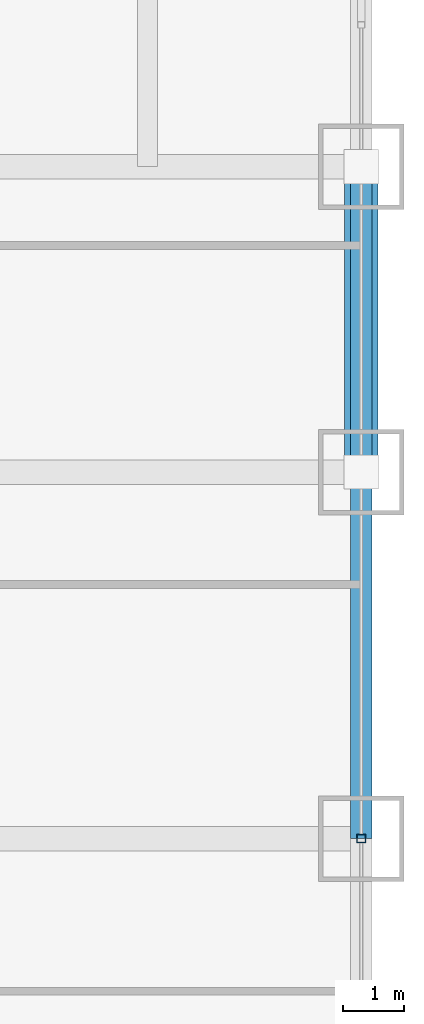
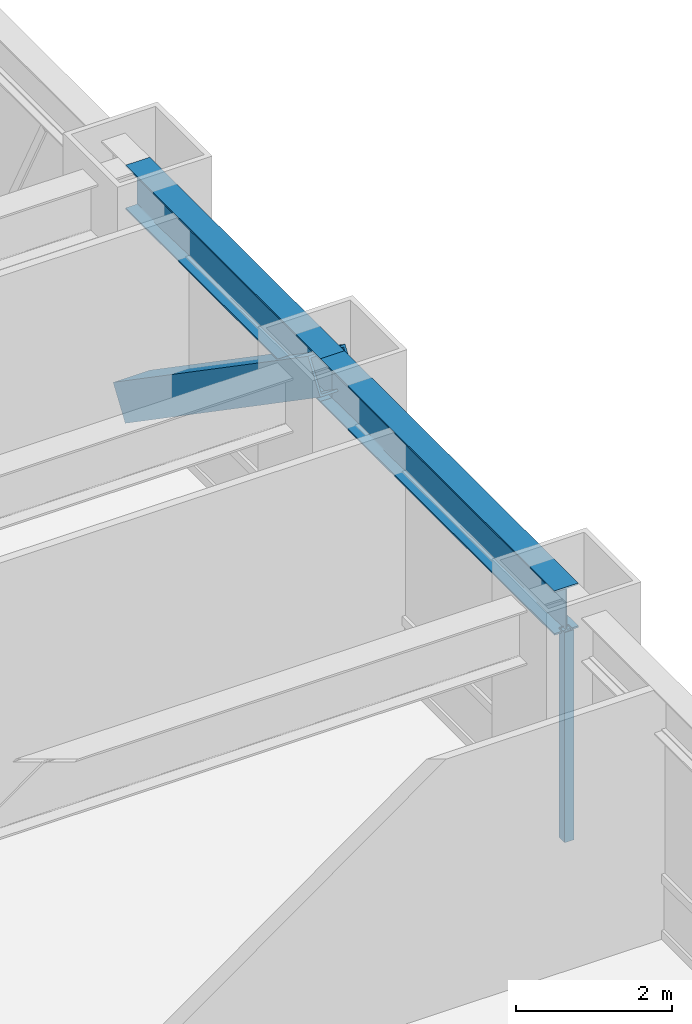
# One storey, part 14 of 32: 2 beams, 2 members, 1 element without a shape of its own.
"""IFC4 building model written with IfcOpenShell, lengths in metres."""

from ifc_helpers import new_model, si_unit, direction, frame, origin, origin_2d, place, context, subcontext, project, spatial, hollow_rectangle, i_section, extrude, source, transform, mapped, material, material_profile, profile_set, type_object, element, aggregate, save


model = new_model("IFC4")

# Units and contexts
model_context = context("Model", 3, precision=1e-05, world=origin(), true_north=direction((0.0, 1.0)))
body_context = subcontext(model_context, "Body", "Model", "MODEL_VIEW")
ifc_project = project(units=[si_unit("LENGTHUNIT", "METRE"), si_unit("AREAUNIT", "SQUARE_METRE"), si_unit("VOLUMEUNIT", "CUBIC_METRE"), si_unit("PLANEANGLEUNIT", "RADIAN"), si_unit("MASSUNIT", "GRAM", prefix="KILO")], contexts=[model_context])

# Site, building, storey
site_placement = place(None, origin())
site = spatial("IfcSite", under=ifc_project, at=site_placement, CompositionType="ELEMENT")
building_placement = place(site_placement, origin())
building = spatial("IfcBuilding", under=site, at=building_placement, Name="Khorayat Bourse Tower", CompositionType="ELEMENT")
storey_placement = place(building_placement, frame((0.0, 0.0, 78.800048828125)))
storey = spatial("IfcBuildingStorey", under=building, at=storey_placement, Name="L17", CompositionType="ELEMENT", Elevation=78.800048828125)

# Beams
ifc_material_1 = material(Name="Steel ASTM A992 Grade 50", Category="steel")
ifc_material_profile_1 = material_profile(ifc_material_1, i_section(OverallWidth=0.35498046875, OverallDepth=0.695068359375, WebThickness=0.015380859375, FlangeThickness=0.02490234375, FilletRadius=0.01806640625, at=origin_2d()), Name="W690X217")
ifc_profile_set_1 = profile_set([ifc_material_profile_1], Name="Steel ASTM A992 Grade 50")
beam_type = type_object("IfcBeamType", Name="BM-SPAN-690", PredefinedType="SPANDREL", material=ifc_profile_set_1)
shared_shape_1 = source(origin(), body_context, "Body", "SweptSolid", [
    extrude(i_section(OverallWidth=0.35498046875, OverallDepth=0.695068359375, WebThickness=0.015380859375, FlangeThickness=0.02490234375, FilletRadius=0.01806640625, at=origin_2d()), origin(), (0.0, 0.0, 1.0), 5.0),
])
beam_1_placement = place(storey_placement, frame((32.0, 6.0, 3.592529296875), z_axis=(0.0, 1.0, 0.0), x_axis=(-1.0, 0.0, 0.0)))
element("IfcBeam", 1, at=beam_1_placement, inside=storey, type_object=beam_type, Name="L17 BM-SPAN-690 BM-L17-SPN-039", PredefinedType="SPANDREL", context=body_context, shape_type="MappedRepresentation", body=[
    mapped(shared_shape_1, transform((0.0, 0.0, 0.0), scale=1.0)),
])
shared_shape_2 = source(origin(), body_context, "Body", "SweptSolid", [
    extrude(i_section(OverallWidth=0.35498046875, OverallDepth=0.695068359375, WebThickness=0.015380859375, FlangeThickness=0.02490234375, FilletRadius=0.01806640625, at=origin_2d()), origin(), (0.0, 0.0, 1.0), 6.0),
])
beam_2_placement = place(storey_placement, frame((32.0, 0.0, 3.592529296875), z_axis=(0.0, 1.0, 0.0), x_axis=(-1.0, 0.0, 0.0)))
element("IfcBeam", 2, at=beam_2_placement, inside=storey, type_object=beam_type, Name="L17 BM-SPAN-690 BM-L17-SPN-038", PredefinedType="SPANDREL", context=body_context, shape_type="MappedRepresentation", body=[
    mapped(shared_shape_2, transform((0.0, 0.0, 0.0), scale=1.0)),
])

# Member
ifc_material_2 = material(Name="Steel EN 10025-4 S460M", Category="steel")
ifc_material_profile_2 = material_profile(ifc_material_2, hollow_rectangle(XDim=0.550048828125, YDim=0.550048828125, WallThickness=0.031982421875, at=origin_2d()), Name="HSS 550x550x32")
ifc_profile_set_2 = profile_set([ifc_material_profile_2], Name="Steel EN 10025-4 S460M")
member_type_1 = type_object("IfcMemberType", Name="MBR-TUBE-550", PredefinedType="BRACE", material=ifc_profile_set_2)
shared_shape_3 = source(origin(), body_context, "Body", "SweptSolid", [
    extrude(hollow_rectangle(XDim=0.550048828125, YDim=0.550048828125, WallThickness=0.031982421875, at=origin_2d()), origin(), (0.0, 0.0, 1.0), 6.069091796875),
])
member_1_placement = place(storey_placement, frame((32.0, 6.0, 3.68994140625), z_axis=(0.0, 0.823854080622, -0.566801952928), x_axis=(-1.0, 0.0, 0.0)))
element("IfcMember", 3, at=member_1_placement, inside=storey, type_object=member_type_1, Name="L17 Perimeter Tube Brace 08", PredefinedType="BRACE", context=body_context, shape_type="MappedRepresentation", body=[
    mapped(shared_shape_3, transform((0.0, 0.0, 0.0), scale=1.0)),
])

# Curtain wall, member
ifc_material_3 = material(Name="Aluminium EN AW-6063 T6", Category="aluminium")
curtain_wall_type = type_object("IfcCurtainWallType", Name="CW-SYS-02", PredefinedType="NOTDEFINED", material=ifc_material_3)
curtain_wall_placement = place(storey_placement, origin())
curtain_wall = element("IfcCurtainWall", 4, at=curtain_wall_placement, inside=storey, type_object=curtain_wall_type, Name="L17 Curtain Wall CW-L17-E1", PredefinedType="NOTDEFINED")
ifc_material_profile_3 = material_profile(ifc_material_3, hollow_rectangle(XDim=0.139892578125, YDim=0.139892578125, WallThickness=0.006103515625, at=origin_2d()), Name="ALU 140x140x6")
ifc_profile_set_3 = profile_set([ifc_material_profile_3], Name="Aluminium EN AW-6063 T6")
member_type_2 = type_object("IfcMemberType", Name="CWM-VERT-140", PredefinedType="MULLION", material=ifc_profile_set_3)
shared_shape_4 = source(origin(), body_context, "Body", "SweptSolid", [
    extrude(hollow_rectangle(XDim=0.139892578125, YDim=0.139892578125, WallThickness=0.006103515625, at=origin_2d()), origin(), (0.0, 0.0, 1.0), 3.2900390625),
])
member_2_placement = place(storey_placement, frame((32.0, 0.0, 0.0), z_axis=(0.0, 0.0, 1.0), x_axis=(-1.0, 0.0, 0.0)))
member_2 = element("IfcMember", 5, at=member_2_placement, type_object=member_type_2, Name="CW-L17-E1 Vertical Mullion 2", PredefinedType="MULLION", context=body_context, shape_type="MappedRepresentation", body=[
    mapped(shared_shape_4, transform((0.0, 0.0, 0.0), scale=1.0)),
])
aggregate(curtain_wall, [member_2])

save(model, "model.ifc")
